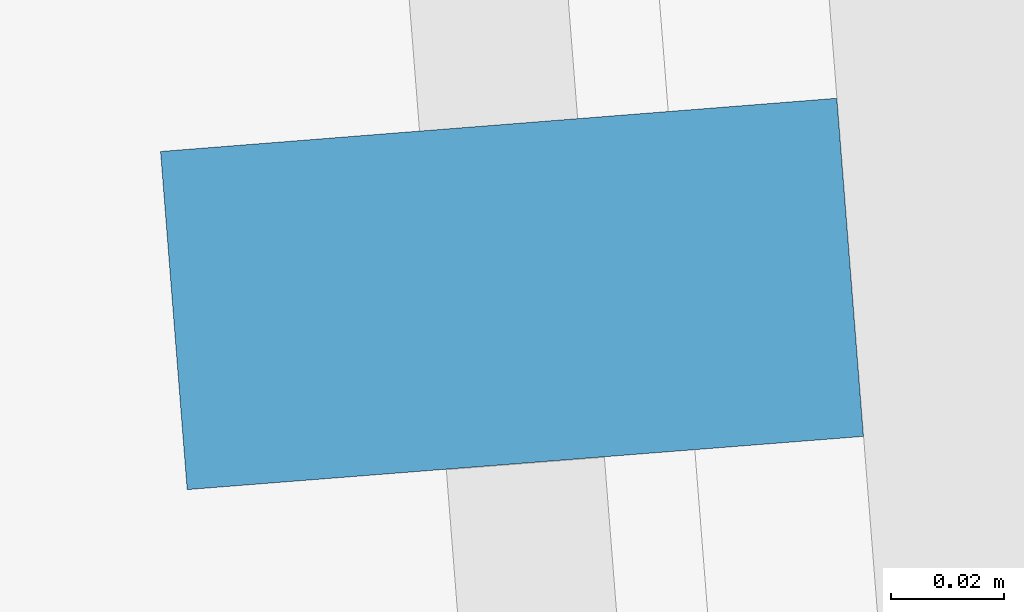
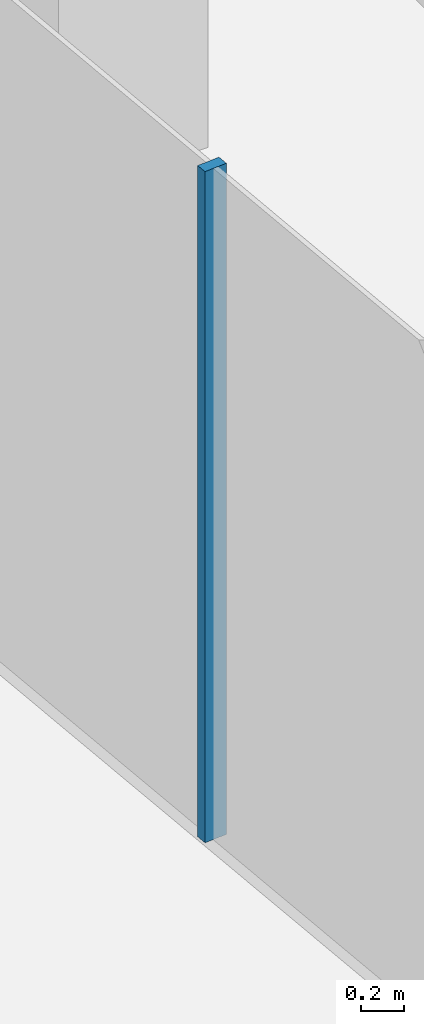
# One storey, part 9 of 23: 1 member, 1 element without a shape of its own.
"""IFC4 building model written with IfcOpenShell, lengths in metres."""

from ifc_helpers import new_model, si_unit, direction, frame, origin, origin_2d, place, context, subcontext, project, spatial, rectangle, extrude, material, layer, layer_set, material_profile, profile_set, type_object, element, aggregate, save


model = new_model("IFC4")

# Units and contexts
model_context = context("Model", 3, precision=1e-05, world=origin(), true_north=direction((0.0, 1.0)))
body_context = subcontext(model_context, "Body", "Model", "MODEL_VIEW")
ifc_project = project(units=[si_unit("LENGTHUNIT", "METRE"), si_unit("AREAUNIT", "SQUARE_METRE"), si_unit("VOLUMEUNIT", "CUBIC_METRE"), si_unit("PLANEANGLEUNIT", "RADIAN"), si_unit("MASSUNIT", "GRAM", prefix="KILO")], contexts=[model_context])

# Site, building, storey
site_placement = place(None, origin())
site = spatial("IfcSite", under=ifc_project, at=site_placement, CompositionType="ELEMENT")
building_placement = place(site_placement, origin())
building = spatial("IfcBuilding", under=site, at=building_placement, Name="Welwitschia Terrace Campus", CompositionType="ELEMENT")
storey_placement = place(building_placement, frame((0.0, 0.0, 209.60009765625)))
storey = spatial("IfcBuildingStorey", under=building, at=storey_placement, Name="L46", CompositionType="ELEMENT", Elevation=209.60009765625)

# Curtain wall, member
ifc_material_1 = material(Name="Bronze anodised aluminium", Category="aluminium")
ifc_layer = layer(ifc_material_1, 0.1201171875)
ifc_layer_set = layer_set([ifc_layer], Name="Bronze anodised aluminium")
curtain_wall_type = type_object("IfcCurtainWallType", Name="Curtain wall CW2 tower 6000", PredefinedType="NOTDEFINED", material=ifc_layer_set)
curtain_wall_placement = place(storey_placement, origin())
curtain_wall = element("IfcCurtainWall", 1, at=curtain_wall_placement, inside=storey, type_object=curtain_wall_type, Name="CW L46.11.0", PredefinedType="NOTDEFINED")
ifc_material_2 = material(Name="Bronze anodised aluminium", Category="aluminium")
ifc_material_profile = material_profile(ifc_material_2, rectangle(XDim=0.1201171875, YDim=0.06005859375, at=origin_2d()))
ifc_profile_set = profile_set([ifc_material_profile], Name="Bronze anodised aluminium")
member_type = type_object("IfcMemberType", Name="Mullion 60x120", PredefinedType="MULLION", material=ifc_profile_set)
member_placement = place(storey_placement, frame((-2.365966796875, 52.7724609375, 0.0), z_axis=(0.0, 0.0, 1.0), x_axis=(0.996917333733, 0.078459095728, 0.0)))
member = element("IfcMember", 2, at=member_placement, type_object=member_type, Name="Mullion L46.11.0.3", PredefinedType="MULLION", context=body_context, shape_type="SweptSolid", body=[
    extrude(rectangle(XDim=0.1201171875, YDim=0.06005859375, at=origin_2d()), origin(), (0.0, 0.0, 1.0), 3.7998046875),
])
aggregate(curtain_wall, [member])

save(model, "model.ifc")
